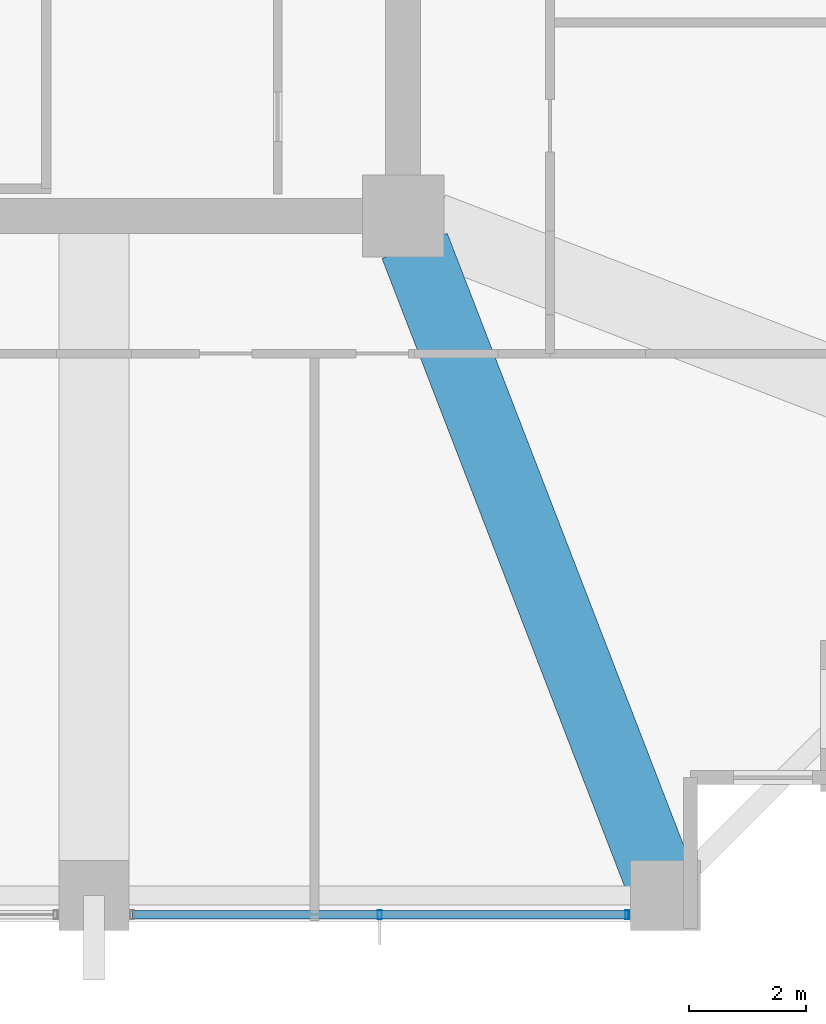
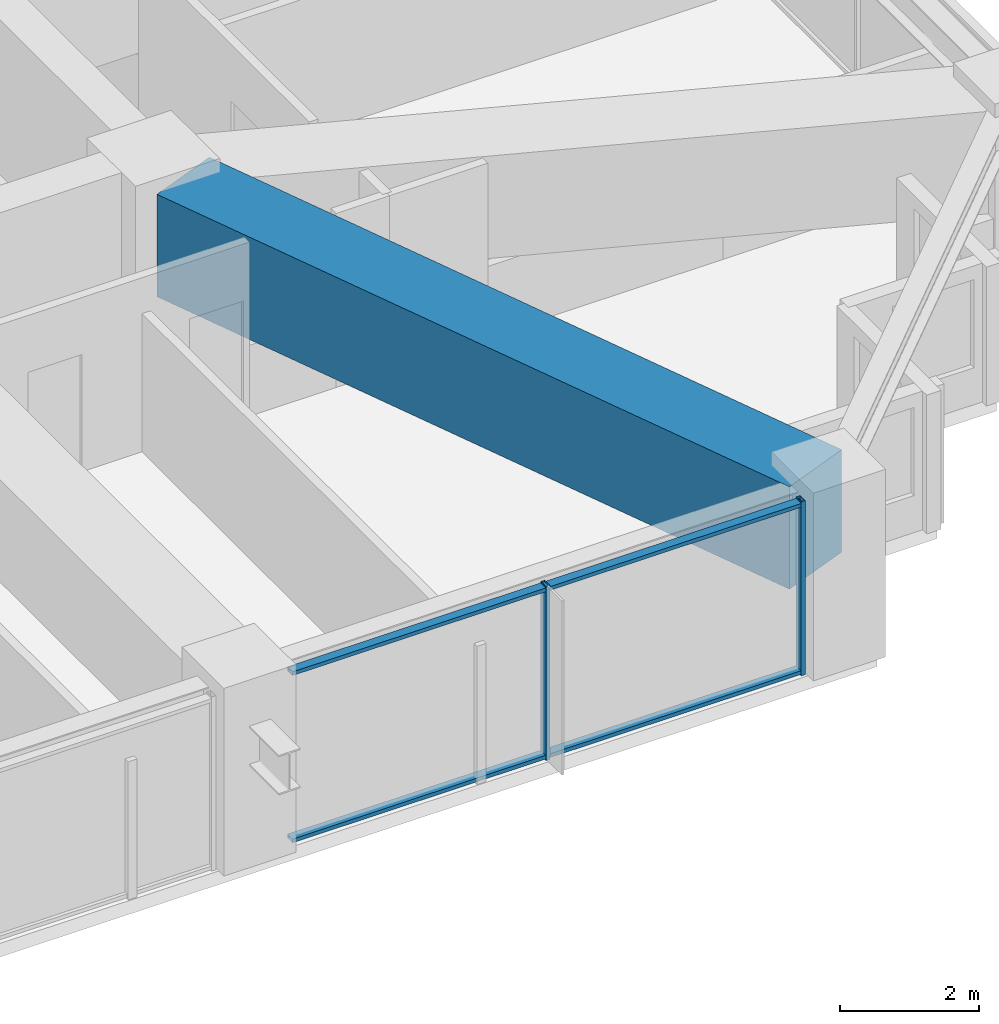
# One storey, part 12 of 39: 4 members, 1 beam, 1 element without a shape of its own.
"""IFC4 building model written with IfcOpenShell, lengths in metres."""

from ifc_helpers import new_model, si_unit, direction, frame, origin, origin_2d, place, context, subcontext, project, spatial, rectangle, hollow_rectangle, extrude, material, material_profile, profile_set, type_object, element, aggregate, save


model = new_model("IFC4")

# Units and contexts
model_context = context("Model", 3, precision=1e-05, world=origin(), true_north=direction((0.0, 1.0)))
body_context = subcontext(model_context, "Body", "Model", "MODEL_VIEW")
ifc_project = project(units=[si_unit("LENGTHUNIT", "METRE"), si_unit("AREAUNIT", "SQUARE_METRE"), si_unit("VOLUMEUNIT", "CUBIC_METRE"), si_unit("PLANEANGLEUNIT", "RADIAN"), si_unit("MASSUNIT", "GRAM", prefix="KILO")], contexts=[model_context])

# Site, building, storey
site_placement = place(None, origin())
site = spatial("IfcSite", under=ifc_project, at=site_placement, CompositionType="ELEMENT")
building_placement = place(site_placement, origin())
building = spatial("IfcBuilding", under=site, at=building_placement, Name="Kolvaren Belvedere", CompositionType="ELEMENT")
storey_placement = place(building_placement, frame((0.0, 0.0, 40.300048828125)))
storey = spatial("IfcBuildingStorey", under=building, at=storey_placement, Name="L11", CompositionType="ELEMENT", Elevation=40.300048828125)

# Beam
ifc_material_1 = material(Name="Concrete C50/60", Category="concrete")
ifc_material_profile_1 = material_profile(ifc_material_1, rectangle(XDim=1.199951171875, YDim=1.800048828125, at=origin_2d()), Name="RC 1200X1800")
ifc_profile_set_1 = profile_set([ifc_material_profile_1], Name="Concrete C50/60")
beam_type = type_object("IfcBeamType", Name="BM-TG-1800", PredefinedType="BEAM", material=ifc_profile_set_1)
beam_placement = place(storey_placement, frame((10.09814453125, -10.4130859375, 2.159912109375), z_axis=(0.360318391835, -0.932829382313, 0.0), x_axis=(0.932829382313, 0.360318391835, 0.0)))
element("IfcBeam", 1, at=beam_placement, inside=storey, type_object=beam_type, Name="L11 Corner Core-to-Perimeter Girder CC2-S4", PredefinedType="BEAM", context=body_context, shape_type="SweptSolid", body=[
    extrude(rectangle(XDim=1.199951171875, YDim=1.800048828125, at=origin_2d()), origin(), (0.0, 0.0, 1.0), 11.698974609375),
])

# Curtain wall, members
ifc_material_2 = material(Name="Anodised pale-metal aluminium AA 6063-T6", Category="aluminium")
curtain_wall_type = type_object("IfcCurtainWallType", Name="CW-Z1-LOW", PredefinedType="NOTDEFINED", material=ifc_material_2)
curtain_wall_placement = place(storey_placement, origin())
curtain_wall = element("IfcCurtainWall", 2, at=curtain_wall_placement, inside=storey, type_object=curtain_wall_type, Name="L11 Unitised Curtain Wall FCW-L11-S-B1", PredefinedType="NOTDEFINED")
ifc_material_3 = material(Name="Anodised pale-metal aluminium AA 6063-T6", Category="aluminium")
ifc_material_profile_2 = material_profile(ifc_material_3, hollow_rectangle(XDim=0.070068359375, YDim=0.14990234375, WallThickness=0.004150390625, at=origin_2d()), Name="ALU-MUL-150X70")
ifc_profile_set_2 = profile_set([ifc_material_profile_2], Name="Anodised pale-metal aluminium AA 6063-T6")
member_type_1 = type_object("IfcMemberType", Name="CW-MUL-150", PredefinedType="MULLION", material=ifc_profile_set_2)
member_1_placement = place(storey_placement, frame((13.7451171875, -21.8798828125, 0.0), z_axis=(0.0, 0.0, 1.0), x_axis=(1.0, 0.0, 0.0)))
member_1 = element("IfcMember", 3, at=member_1_placement, type_object=member_type_1, Name="FCW-L11-S-B1 Unitised Mullion 1", PredefinedType="MULLION", context=body_context, shape_type="SweptSolid", body=[
    extrude(hollow_rectangle(XDim=0.070068359375, YDim=0.14990234375, WallThickness=0.004150390625, at=origin_2d()), origin(), (0.0, 0.0, 1.0), 3.06005859375),
])
member_2_placement = place(storey_placement, frame((9.5, -21.8798828125, 0.0), z_axis=(0.0, 0.0, 1.0), x_axis=(1.0, 0.0, 0.0)))
member_2 = element("IfcMember", 4, at=member_2_placement, type_object=member_type_1, Name="FCW-L11-S-B1 Unitised Mullion 2", PredefinedType="MULLION", context=body_context, shape_type="SweptSolid", body=[
    extrude(hollow_rectangle(XDim=0.070068359375, YDim=0.14990234375, WallThickness=0.004150390625, at=origin_2d()), origin(), (0.0, 0.0, 1.0), 3.06005859375),
])
ifc_material_4 = material(Name="Anodised pale-metal aluminium AA 6063-T6", Category="aluminium")
ifc_material_profile_3 = material_profile(ifc_material_4, hollow_rectangle(XDim=0.06494140625, YDim=0.14990234375, WallThickness=0.00390625, at=origin_2d()), Name="ALU-TRN-150X65")
ifc_profile_set_3 = profile_set([ifc_material_profile_3], Name="Anodised pale-metal aluminium AA 6063-T6")
member_type_2 = type_object("IfcMemberType", Name="CW-TRN-150", PredefinedType="USERDEFINED", material=ifc_profile_set_3)
member_3_placement = place(storey_placement, frame((13.7451171875, -21.8798828125, 0.06005859375), z_axis=(-1.0, 0.0, 0.0), x_axis=(0.0, 0.0, 1.0)))
member_3 = element("IfcMember", 5, at=member_3_placement, type_object=member_type_2, Name="FCW-L11-S-B1 Sill Transom", ObjectType="TRANSOM", PredefinedType="USERDEFINED", context=body_context, shape_type="SweptSolid", body=[
    extrude(hollow_rectangle(XDim=0.06494140625, YDim=0.14990234375, WallThickness=0.00390625, at=origin_2d()), origin(), (0.0, 0.0, 1.0), 8.490234375),
])
member_4_placement = place(storey_placement, frame((13.7451171875, -21.8798828125, 3.0), z_axis=(-1.0, 0.0, 0.0), x_axis=(0.0, 0.0, 1.0)))
member_4 = element("IfcMember", 6, at=member_4_placement, type_object=member_type_2, Name="FCW-L11-S-B1 Head Transom", ObjectType="TRANSOM", PredefinedType="USERDEFINED", context=body_context, shape_type="SweptSolid", body=[
    extrude(hollow_rectangle(XDim=0.06494140625, YDim=0.14990234375, WallThickness=0.00390625, at=origin_2d()), origin(), (0.0, 0.0, 1.0), 8.490234375),
])
aggregate(curtain_wall, [member_1, member_2, member_3, member_4])

save(model, "model.ifc")
